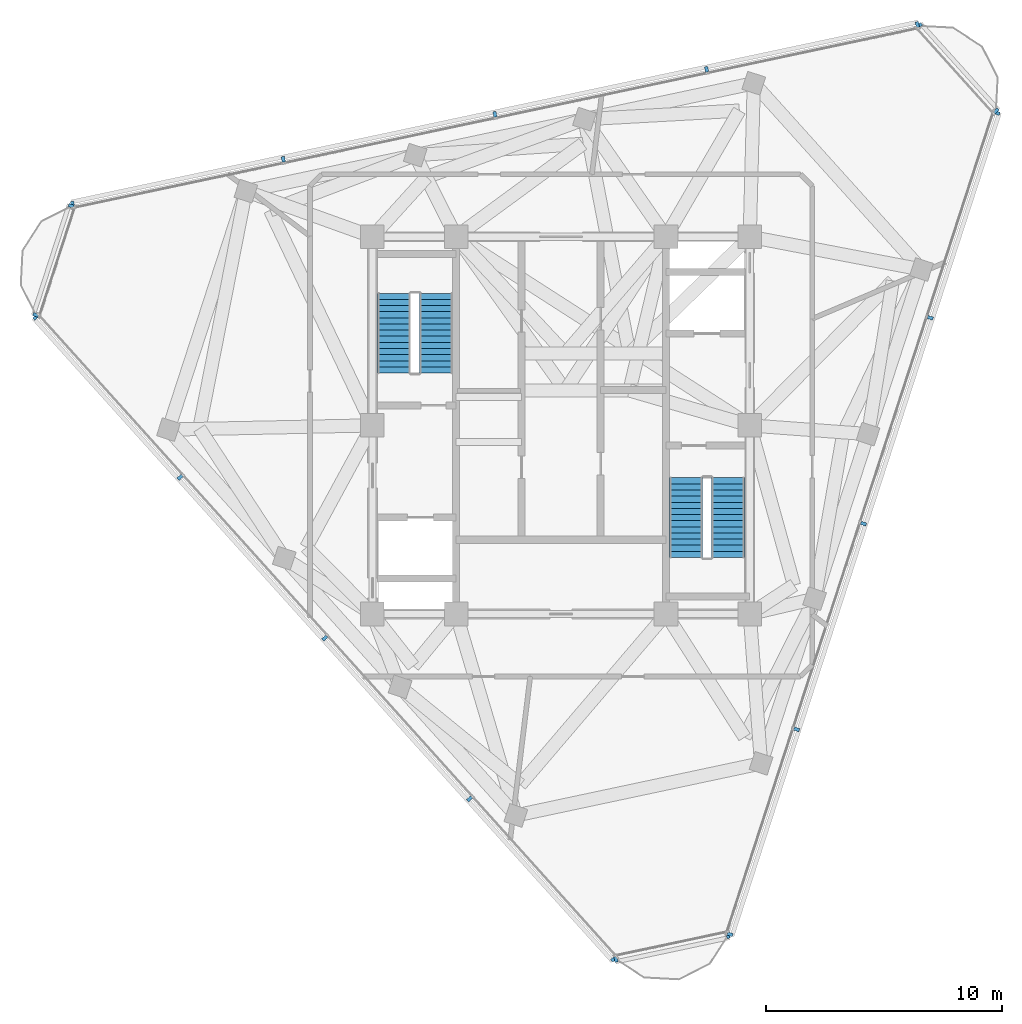
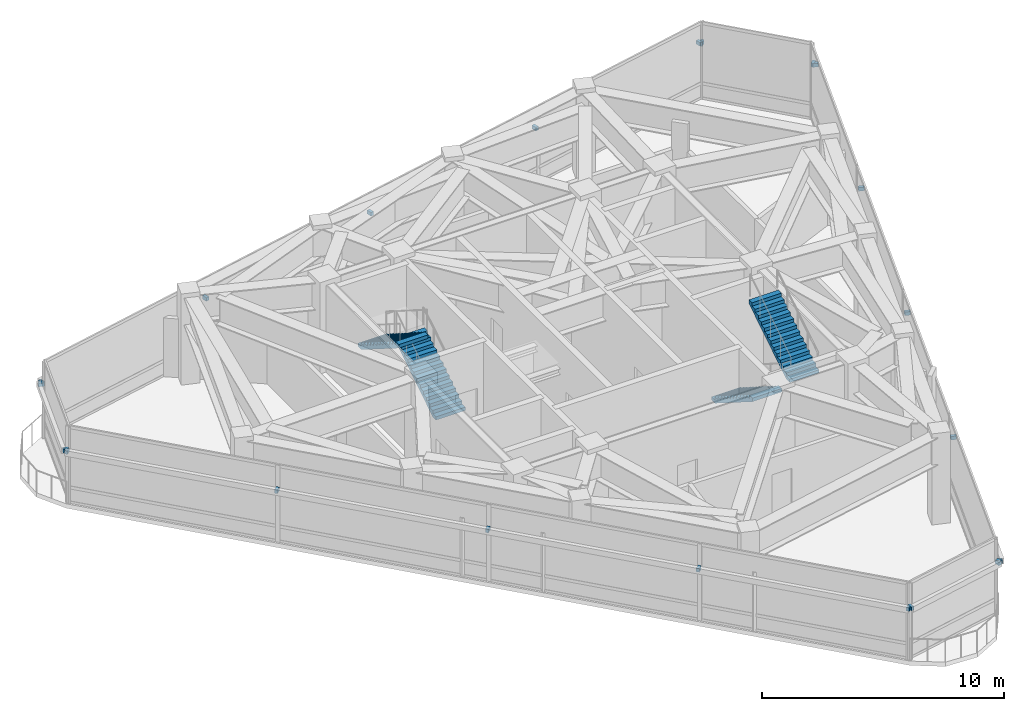
# One storey, part 8 of 10: 21 discrete accessories, 4 stair flights, 2 elements without a shape of their own.
"""IFC4 building model written with IfcOpenShell, lengths in metres."""

from ifc_helpers import new_model, si_unit, direction, frame, origin, origin_2d, place, context, subcontext, project, spatial, polyline, rectangle, outline, extrude, material, type_object, element, aggregate, save


model = new_model("IFC4")

# Units and contexts
model_context = context("Model", 3, precision=1e-05, world=origin(), true_north=direction((0.0, 1.0)))
body_context = subcontext(model_context, "Body", "Model", "MODEL_VIEW")
ifc_project = project(units=[si_unit("LENGTHUNIT", "METRE"), si_unit("AREAUNIT", "SQUARE_METRE"), si_unit("VOLUMEUNIT", "CUBIC_METRE"), si_unit("PLANEANGLEUNIT", "RADIAN"), si_unit("MASSUNIT", "GRAM", prefix="KILO")], contexts=[model_context])

# Site, building, storey
site_placement = place(None, origin())
site = spatial("IfcSite", under=ifc_project, at=site_placement, CompositionType="ELEMENT")
building_placement = place(site_placement, origin())
building = spatial("IfcBuilding", under=site, at=building_placement, Name="Terralouvre Media Tower", CompositionType="ELEMENT")
storey_placement = place(building_placement, frame((0.0, 0.0, 317.39990234375)))
storey = spatial("IfcBuildingStorey", under=building, at=storey_placement, Name="L82", CompositionType="ELEMENT", Elevation=317.39990234375)

# Stair, stair flights
ifc_material_1 = material(Name="Concrete C45/55", Category="concrete")
stair_type_1 = type_object("IfcStairType", Name="Dogleg Stair Assembly ST-01", PredefinedType="HALF_TURN_STAIR", material=ifc_material_1)
stair_1_placement = place(storey_placement, origin())
stair_1 = element("IfcStair", 1, at=stair_1_placement, inside=storey, type_object=stair_type_1, Name="L82 Core Pressurised Exit Stair ST-01", PredefinedType="HALF_TURN_STAIR")
ifc_material_2 = material(Name="Concrete C45/55", Category="concrete")
stair_flight_type = type_object("IfcStairFlightType", Name="Reinforced Concrete Stair Flight SF-RC1", PredefinedType="STRAIGHT", material=ifc_material_2)
stair_flight_1_placement = place(storey_placement, frame((-5.300048828125, 2.219970703125, 0.0), z_axis=(0.0, 0.0, 1.0), x_axis=(0.0, 1.0, 0.0)))
stair_flight_1 = element("IfcStairFlight", 2, at=stair_flight_1_placement, type_object=stair_flight_type, Name="ST-01 flight 1", NumberOfRisers=14, NumberOfTreads=13, PredefinedType="STRAIGHT", RiserHeight=0.164285714, TreadLength=0.26, context=body_context, shape_type="SweptSolid", body=[
    extrude(outline(polyline([(0.0, 0.0), (0.0, 0.164306640625), (0.260009765625, 0.164306640625), (0.260009765625, 0.32861328125), (0.52001953125, 0.32861328125), (0.52001953125, 0.492919921875), (0.780029296875, 0.492919921875), (0.780029296875, 0.6572265625), (1.0400390625, 0.6572265625), (1.0400390625, 0.821533203125), (1.300048828125, 0.821533203125), (1.300048828125, 0.985595703125), (1.56005859375, 0.985595703125), (1.56005859375, 1.14990234375), (1.820068359375, 1.14990234375), (1.820068359375, 1.314208984375), (2.080078125, 1.314208984375), (2.080078125, 1.478515625), (2.340087890625, 1.478515625), (2.340087890625, 1.642822265625), (2.60009765625, 1.642822265625), (2.60009765625, 1.80712890625), (2.860107421875, 1.80712890625), (2.860107421875, 1.971435546875), (3.1201171875, 1.971435546875), (3.1201171875, 2.1357421875), (3.3798828125, 2.1357421875), (3.3798828125, 2.300048828125), (3.3798828125, 1.95849609375), (0.280517578125, 0.0), (0.0, 0.0)])), frame((0.0, 0.699951171875, 0.0), z_axis=(0.0, -1.0, 0.0), x_axis=(1.0, 0.0, 0.0)), (0.0, 0.0, 1.0), 1.39990234375),
])
stair_flight_2_placement = place(storey_placement, frame((-7.080078125, 5.60009765625, 2.300048828125), z_axis=(0.0, 0.0, 1.0), x_axis=(0.0, -1.0, 0.0)))
stair_flight_2 = element("IfcStairFlight", 3, at=stair_flight_2_placement, type_object=stair_flight_type, Name="ST-01 flight 2", NumberOfRisers=14, NumberOfTreads=13, PredefinedType="STRAIGHT", RiserHeight=0.164285714, TreadLength=0.26, context=body_context, shape_type="SweptSolid", body=[
    extrude(outline(polyline([(0.0, 0.0), (0.0, 0.164306640625), (0.260009765625, 0.164306640625), (0.260009765625, 0.32861328125), (0.52001953125, 0.32861328125), (0.52001953125, 0.492919921875), (0.780029296875, 0.492919921875), (0.780029296875, 0.6572265625), (1.0400390625, 0.6572265625), (1.0400390625, 0.821533203125), (1.300048828125, 0.821533203125), (1.300048828125, 0.985595703125), (1.56005859375, 0.985595703125), (1.56005859375, 1.14990234375), (1.820068359375, 1.14990234375), (1.820068359375, 1.314208984375), (2.080078125, 1.314208984375), (2.080078125, 1.478515625), (2.340087890625, 1.478515625), (2.340087890625, 1.642822265625), (2.60009765625, 1.642822265625), (2.60009765625, 1.80712890625), (2.860107421875, 1.80712890625), (2.860107421875, 1.971435546875), (3.1201171875, 1.971435546875), (3.1201171875, 2.1357421875), (3.3798828125, 2.1357421875), (3.3798828125, 2.300048828125), (3.3798828125, 1.95849609375), (0.280517578125, 0.0), (0.0, 0.0)])), frame((0.0, 0.699951171875, 0.0), z_axis=(0.0, -1.0, 0.0), x_axis=(1.0, 0.0, 0.0)), (0.0, 0.0, 1.0), 1.39990234375),
])
aggregate(stair_1, [stair_flight_1, stair_flight_2])

ifc_material_3 = material(Name="Concrete C45/55", Category="concrete")
stair_type_2 = type_object("IfcStairType", Name="Dogleg Stair Assembly ST-02", PredefinedType="HALF_TURN_STAIR", material=ifc_material_3)
stair_2_placement = place(storey_placement, origin())
stair_2 = element("IfcStair", 4, at=stair_2_placement, inside=storey, type_object=stair_type_2, Name="L82 Core Pressurised Exit Stair ST-02", PredefinedType="HALF_TURN_STAIR")
stair_flight_3_placement = place(storey_placement, frame((5.300048828125, -2.219970703125, 0.0), z_axis=(0.0, 0.0, 1.0), x_axis=(0.0, -1.0, 0.0)))
stair_flight_3 = element("IfcStairFlight", 5, at=stair_flight_3_placement, type_object=stair_flight_type, Name="ST-02 flight 1", NumberOfRisers=14, NumberOfTreads=13, PredefinedType="STRAIGHT", RiserHeight=0.164285714, TreadLength=0.26, context=body_context, shape_type="SweptSolid", body=[
    extrude(outline(polyline([(0.0, 0.0), (0.0, 0.164306640625), (0.260009765625, 0.164306640625), (0.260009765625, 0.32861328125), (0.52001953125, 0.32861328125), (0.52001953125, 0.492919921875), (0.780029296875, 0.492919921875), (0.780029296875, 0.6572265625), (1.0400390625, 0.6572265625), (1.0400390625, 0.821533203125), (1.300048828125, 0.821533203125), (1.300048828125, 0.985595703125), (1.56005859375, 0.985595703125), (1.56005859375, 1.14990234375), (1.820068359375, 1.14990234375), (1.820068359375, 1.314208984375), (2.080078125, 1.314208984375), (2.080078125, 1.478515625), (2.340087890625, 1.478515625), (2.340087890625, 1.642822265625), (2.60009765625, 1.642822265625), (2.60009765625, 1.80712890625), (2.860107421875, 1.80712890625), (2.860107421875, 1.971435546875), (3.1201171875, 1.971435546875), (3.1201171875, 2.1357421875), (3.3798828125, 2.1357421875), (3.3798828125, 2.300048828125), (3.3798828125, 1.95849609375), (0.280517578125, 0.0), (0.0, 0.0)])), frame((0.0, 0.699951171875, 0.0), z_axis=(0.0, -1.0, 0.0), x_axis=(1.0, 0.0, 0.0)), (0.0, 0.0, 1.0), 1.39990234375),
])
stair_flight_4_placement = place(storey_placement, frame((7.080078125, -5.60009765625, 2.300048828125), z_axis=(0.0, 0.0, 1.0), x_axis=(0.0, 1.0, 0.0)))
stair_flight_4 = element("IfcStairFlight", 6, at=stair_flight_4_placement, type_object=stair_flight_type, Name="ST-02 flight 2", NumberOfRisers=14, NumberOfTreads=13, PredefinedType="STRAIGHT", RiserHeight=0.164285714, TreadLength=0.26, context=body_context, shape_type="SweptSolid", body=[
    extrude(outline(polyline([(0.0, 0.0), (0.0, 0.164306640625), (0.260009765625, 0.164306640625), (0.260009765625, 0.32861328125), (0.52001953125, 0.32861328125), (0.52001953125, 0.492919921875), (0.780029296875, 0.492919921875), (0.780029296875, 0.6572265625), (1.0400390625, 0.6572265625), (1.0400390625, 0.821533203125), (1.300048828125, 0.821533203125), (1.300048828125, 0.985595703125), (1.56005859375, 0.985595703125), (1.56005859375, 1.14990234375), (1.820068359375, 1.14990234375), (1.820068359375, 1.314208984375), (2.080078125, 1.314208984375), (2.080078125, 1.478515625), (2.340087890625, 1.478515625), (2.340087890625, 1.642822265625), (2.60009765625, 1.642822265625), (2.60009765625, 1.80712890625), (2.860107421875, 1.80712890625), (2.860107421875, 1.971435546875), (3.1201171875, 1.971435546875), (3.1201171875, 2.1357421875), (3.3798828125, 2.1357421875), (3.3798828125, 2.300048828125), (3.3798828125, 1.95849609375), (0.280517578125, 0.0), (0.0, 0.0)])), frame((0.0, 0.699951171875, 0.0), z_axis=(0.0, -1.0, 0.0), x_axis=(1.0, 0.0, 0.0)), (0.0, 0.0, 1.0), 1.39990234375),
])
aggregate(stair_2, [stair_flight_3, stair_flight_4])

# Discrete accessories
ifc_material_4 = material(Name="Anodised extruded aluminium 6063-T6", Category="aluminium")
discrete_accessory_type = type_object("IfcDiscreteAccessoryType", Name="Mullion Stand-Off Baguette Fixing Bracket BK-01", PredefinedType="BRACKET", material=ifc_material_4)
for number, where, z_axis, x_axis, name in (
    (7, (7.16552734375, -21.583251953125, 2.61962890625), (0.0, 0.0, 1.0), (0.309017102933, 0.951056481023, 0.0), "CW-L82-F0 Baguette Outrigger Bracket 1.01"),
    (8, (9.9892578125, -12.892822265625, 2.61962890625), (0.0, 0.0, 1.0), (0.309017102933, 0.951056481023, 0.0), "CW-L82-F0 Baguette Outrigger Bracket 1.02"),
    (9, (12.824462890625, -4.1669921875, 2.61962890625), (0.0, 0.0, 1.0), (0.309017102933, 0.951056481023, 0.0), "CW-L82-F0 Baguette Outrigger Bracket 1.03"),
    (10, (15.65966796875, 4.55908203125, 2.61962890625), (0.0, 0.0, 1.0), (0.309017102933, 0.951056481023, 0.0), "CW-L82-F0 Baguette Outrigger Bracket 1.04"),
    (11, (18.4833984375, 13.249267578125, 2.61962890625), (0.0, 0.0, 1.0), (0.309017102933, 0.951056481023, 0.0), "CW-L82-F0 Baguette Outrigger Bracket 1.05"),
    (12, (15.108642578125, 16.9970703125, 2.61962890625), (0.0, 0.0, 1.0), (-0.978147587304, -0.207911754001, 0.0), "CW-L82-F1 Baguette Outrigger Bracket 1.01"),
    (13, (6.1708984375, 15.097412109375, 2.61962890625), (0.0, 0.0, 1.0), (-0.978147587304, -0.207911754001, 0.0), "CW-L82-F1 Baguette Outrigger Bracket 1.02"),
    (14, (-2.803466796875, 13.189697265625, 2.61962890625), (0.0, 0.0, 1.0), (-0.978147587304, -0.207911754001, 0.0), "CW-L82-F1 Baguette Outrigger Bracket 1.03"),
    (15, (-11.778076171875, 11.2822265625, 2.61962890625), (0.0, 0.0, 1.0), (-0.978147587304, -0.207911754001, 0.0), "CW-L82-F1 Baguette Outrigger Bracket 1.04"),
    (16, (-20.7158203125, 9.38232421875, 2.61962890625), (0.0, 0.0, 1.0), (-0.978147587304, -0.207911754001, 0.0), "CW-L82-F1 Baguette Outrigger Bracket 1.05"),
    (17, (-22.2744140625, 4.5859375, 2.61962890625), (0.0, 0.0, 1.0), (0.669130490949, -0.743144929393, 0.0), "CW-L82-F2 Baguette Outrigger Bracket 1.01"),
    (18, (-16.16015625, -2.204345703125, 2.61962890625), (0.0, 0.0, 1.0), (0.669130490949, -0.743144929393, 0.0), "CW-L82-F2 Baguette Outrigger Bracket 1.02"),
    (19, (-10.020751953125, -9.022705078125, 2.61962890625), (0.0, 0.0, 1.0), (0.669130490949, -0.743144929393, 0.0), "CW-L82-F2 Baguette Outrigger Bracket 1.03"),
    (20, (-3.881591796875, -15.841064453125, 2.61962890625), (0.0, 0.0, 1.0), (0.669130490949, -0.743144929393, 0.0), "CW-L82-F2 Baguette Outrigger Bracket 1.04"),
    (21, (2.232666015625, -22.631591796875, 2.61962890625), (0.0, 0.0, 1.0), (0.669130490949, -0.743144929393, 0.0), "CW-L82-F2 Baguette Outrigger Bracket 1.05"),
    (22, (2.328369140625, -22.64453125, 2.61962890625), (0.0, 0.0, 1.0), (0.978147723559, 0.207911112968, 0.0), "CW-L82-C0 Baguette Outrigger Bracket 1.01"),
    (23, (7.08349609375, -21.6337890625, 2.61962890625), (0.0, 0.0, 1.0), (0.978147723559, 0.207911112968, 0.0), "CW-L82-C0 Baguette Outrigger Bracket 1.02"),
    (24, (18.446533203125, 13.338623046875, 2.61962890625), (0.0, 0.0, 1.0), (-0.669130583518, 0.743144846043, 0.0), "CW-L82-C1 Baguette Outrigger Bracket 1.01"),
    (25, (15.193603515625, 16.951171875, 2.61962890625), (0.0, 0.0, 1.0), (-0.669130583518, 0.743144846043, 0.0), "CW-L82-C1 Baguette Outrigger Bracket 1.02"),
    (26, (-20.77490234375, 9.305908203125, 2.61962890625), (0.0, 0.0, 1.0), (-0.30901818637, -0.951056128992, 0.0), "CW-L82-C2 Baguette Outrigger Bracket 1.01"),
    (27, (-22.277099609375, 4.6826171875, 2.61962890625), (0.0, 0.0, 1.0), (-0.30901818637, -0.951056128992, 0.0), "CW-L82-C2 Baguette Outrigger Bracket 1.02"),
):
    element("IfcDiscreteAccessory", number, at=place(storey_placement, frame(where, z_axis=z_axis, x_axis=x_axis)), inside=storey, type_object=discrete_accessory_type, Name=name, PredefinedType="BRACKET", context=body_context, shape_type="SweptSolid", body=[
        extrude(rectangle(XDim=0.139892578125, YDim=0.239990234375, at=origin_2d()), origin(), (0.0, 0.0, 1.0), 0.179931640625),
    ])

save(model, "model.ifc")
